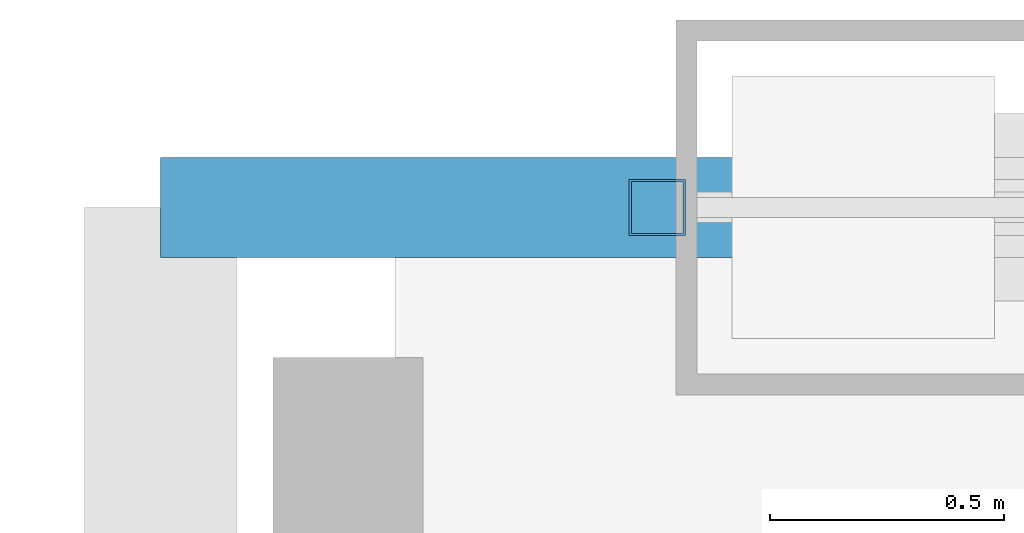
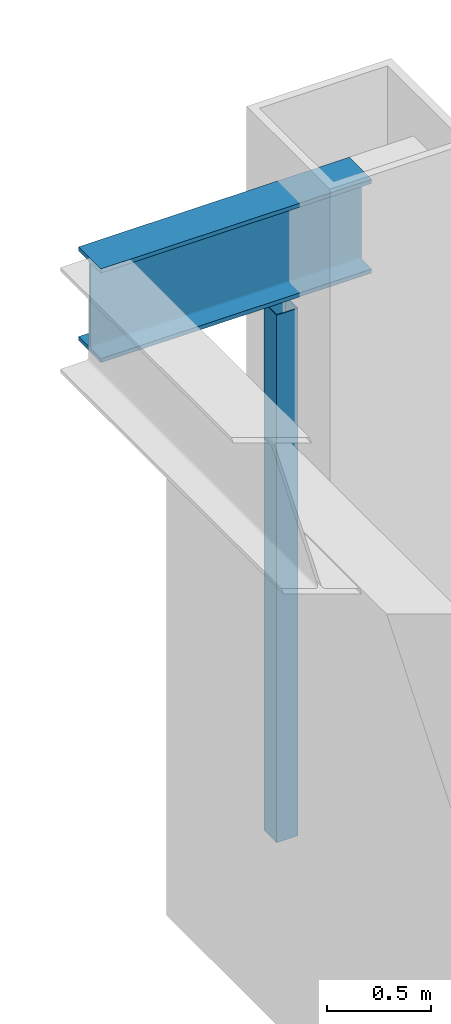
# One storey, part 20 of 29: 1 beam, 1 member, 1 element without a shape of its own.
"""IFC4 building model written with IfcOpenShell, lengths in metres."""

import ifcopenshell
import ifcopenshell.guid

model = None  # the IFC model being written
_history = None  # IfcOwnerHistory: only IFC2X3 demands one
_inside = {}  # id of a spatial element -> (the spatial element, [elements in it])
_under = {}  # id of a project, library or spatial element -> (it, [spatial elements below it])
_declared = {}  # id of a project -> (the project, [libraries it declares])
_typed = {}  # id of a type object -> (the type object, [elements of that type])
_made_of = {}  # id of a material, layer set ... -> (it, [elements and type objects made of it])


def new_model(schema):
    """Start an empty IFC model of exactly this schema.

    Asked for "IFC4X3", IfcOpenShell would pick the latest addendum, in which some entities
    have other attributes; the version numbers below select the first issue.
    IFC2X3 requires an IfcOwnerHistory on every rooted entity: one is made here for all.
    """
    global model, _history
    if schema == "IFC4X3":
        model = ifcopenshell.file(schema_version=(4, 3, 0, 0))
    else:
        model = ifcopenshell.file(schema=schema)
    _inside.clear()
    _under.clear()
    _declared.clear()
    _typed.clear()
    _made_of.clear()
    _history = None
    if model.schema == "IFC2X3":
        org = make("IfcOrganization", Name="unknown")
        user = make(
            "IfcPersonAndOrganization",
            ThePerson=make("IfcPerson", FamilyName="unknown"),
            TheOrganization=org,
        )
        app = make(
            "IfcApplication",
            ApplicationDeveloper=org,
            Version="unknown",
            ApplicationFullName="unknown",
            ApplicationIdentifier="unknown",
        )
        _history = make(
            "IfcOwnerHistory",
            OwningUser=user,
            OwningApplication=app,
            ChangeAction="ADDED",
            CreationDate=0,
        )
    return model


def make(cls, **values):
    """One entity of the class cls with the attributes given. An attribute that is None is left unset."""
    return model.create_entity(
        cls, **{name: value for name, value in values.items() if value is not None}
    )


def rooted(cls, **values):
    """An entity with a GlobalId (a new one), such as an element, a storey or a relation."""
    return make(cls, GlobalId=ifcopenshell.guid.new(), OwnerHistory=_history, **values)


def si_unit(unit_type, name, prefix=None):
    """IfcSIUnit, for example si_unit("LENGTHUNIT", "METRE", prefix="MILLI")."""
    return make("IfcSIUnit", UnitType=unit_type, Prefix=prefix, Name=name)


def assignment(units):
    """IfcUnitAssignment: the units of a project."""
    return None if units is None else make("IfcUnitAssignment", Units=units)


def point(xyz):
    """IfcCartesianPoint."""
    return None if xyz is None else make("IfcCartesianPoint", Coordinates=xyz)


def direction(xyz):
    """IfcDirection."""
    return None if xyz is None else make("IfcDirection", DirectionRatios=xyz)


def frame(location, z_axis=None, x_axis=None):
    """IfcAxis2Placement3D, a coordinate frame: its origin and axes. An axis left out is left unset."""
    return make(
        "IfcAxis2Placement3D",
        Location=point(location),
        Axis=direction(z_axis),
        RefDirection=direction(x_axis),
    )


def frame_2d(location, x_axis=None):
    """IfcAxis2Placement2D, a coordinate frame in the plane: its origin and x axis."""
    return make(
        "IfcAxis2Placement2D", Location=point(location), RefDirection=direction(x_axis)
    )


def origin():
    """The frame at (0, 0, 0) with its axes left unset."""
    return frame((0.0, 0.0, 0.0))


def origin_2d():
    """The frame at (0, 0) in the plane with its x axis left unset."""
    return frame_2d((0.0, 0.0))


def place(relative_to, where):
    """IfcLocalPlacement: puts the frame where relative to a parent placement (None: the world)."""
    return make(
        "IfcLocalPlacement", PlacementRelTo=relative_to, RelativePlacement=where
    )


def context(
    kind, dimensions, precision=None, world=None, true_north=None, identifier=None
):
    """IfcGeometricRepresentationContext, for example the 3D "Model" context."""
    return make(
        "IfcGeometricRepresentationContext",
        ContextIdentifier=identifier,
        ContextType=kind,
        CoordinateSpaceDimension=dimensions,
        Precision=precision,
        WorldCoordinateSystem=world,
        TrueNorth=true_north,
    )


def subcontext(parent, identifier, kind, view, scale=None):
    """IfcGeometricRepresentationSubContext, for example "Body" below "Model"."""
    return make(
        "IfcGeometricRepresentationSubContext",
        ContextIdentifier=identifier,
        ContextType=kind,
        ParentContext=parent,
        TargetScale=scale,
        TargetView=view,
    )


def project(units=None, contexts=None):
    """IfcProject with its units and contexts."""
    return rooted(
        "IfcProject",
        Name="project",
        RepresentationContexts=contexts,
        UnitsInContext=assignment(units),
    )


def spatial(cls, under=None, at=None, **own):
    """A site, building, storey or space (cls), placed at a placement, below another one or the project."""
    s = rooted(cls, ObjectPlacement=at, **own)
    if under is not None:
        _under.setdefault(under.id(), (under, []))[1].append(s)
    return s


def profile(cls, at=None, kind="AREA", **sizes):
    """A parametric profile (cls). Its sizes go by their IFC names, for example OverallWidth=200.0."""
    return make(cls, ProfileType=kind, Position=at, **sizes)


def hollow_rectangle(**sizes):
    """IfcRectangleHollowProfileDef."""
    return profile("IfcRectangleHollowProfileDef", **sizes)


def i_section(**sizes):
    """IfcIShapeProfileDef."""
    return profile("IfcIShapeProfileDef", **sizes)


def extrude(swept, where, along, depth):
    """IfcExtrudedAreaSolid: the profile swept, set in the frame where, extruded along a direction by depth."""
    return make(
        "IfcExtrudedAreaSolid",
        SweptArea=swept,
        Position=where,
        ExtrudedDirection=direction(along),
        Depth=depth,
    )


def shape(context_of_items, identifier, shape_type, items):
    """IfcShapeRepresentation: the items that make up one representation, for example the "Body"."""
    return make(
        "IfcShapeRepresentation",
        ContextOfItems=context_of_items,
        RepresentationIdentifier=identifier,
        RepresentationType=shape_type,
        Items=items,
    )


def source(mapping_origin, context_of_items, identifier, shape_type, items):
    """IfcRepresentationMap: a shape defined once, which mapped items show again and again."""
    return make(
        "IfcRepresentationMap",
        MappingOrigin=mapping_origin,
        MappedRepresentation=shape(context_of_items, identifier, shape_type, items),
    )


def transform(
    local_origin,
    x_axis=None,
    y_axis=None,
    z_axis=None,
    scale=None,
    scale2=None,
    scale3=None,
    uniform=True,
):
    """IfcCartesianTransformationOperator3D, or its non-uniform kind. x_axis, y_axis, z_axis: its Axis1, 2, 3."""
    if uniform:
        return make(
            "IfcCartesianTransformationOperator3D",
            Axis1=direction(x_axis),
            Axis2=direction(y_axis),
            LocalOrigin=point(local_origin),
            Scale=scale,
            Axis3=direction(z_axis),
        )
    return make(
        "IfcCartesianTransformationOperator3DnonUniform",
        Axis1=direction(x_axis),
        Axis2=direction(y_axis),
        LocalOrigin=point(local_origin),
        Scale=scale,
        Axis3=direction(z_axis),
        Scale2=scale2,
        Scale3=scale3,
    )


def mapped(mapping_source, mapping_target):
    """IfcMappedItem: shows the shape of a source again, moved by a transform."""
    return make(
        "IfcMappedItem", MappingSource=mapping_source, MappingTarget=mapping_target
    )


def material(Name=None, Category=None):
    """IfcMaterial."""
    return make("IfcMaterial", Name=Name, Category=Category)


def material_profile(
    of_material, cross_section, Name=None, Category=None, Priority=None
):
    """IfcMaterialProfile: a cross section and its material."""
    return make(
        "IfcMaterialProfile",
        Name=Name,
        Material=of_material,
        Profile=cross_section,
        Priority=Priority,
        Category=Category,
    )


def profile_set(profiles, Name=None, composite=None):
    """IfcMaterialProfileSet."""
    return make(
        "IfcMaterialProfileSet",
        Name=Name,
        MaterialProfiles=profiles,
        CompositeProfile=composite,
    )


def made_of(thing, what):
    """Note that an element or type object is made of a material, layer set ...; save() writes the relation."""
    if what is not None:
        _made_of.setdefault(what.id(), (what, []))[1].append(thing)
    return thing


def type_object(cls, material=None, **own):
    """A type object (cls), such as IfcWallType, which elements share."""
    return made_of(rooted(cls, **own), material)


def element(
    cls,
    number,
    at=None,
    inside=None,
    cuts=None,
    type_object=None,
    material=None,
    context=None,
    identifier="Body",
    shape_type=None,
    held_by="IfcProductDefinitionShape",
    body=None,
    shapes=None,
    **own,
):
    """One element of the class cls, such as IfcWall. Its Tag is "e" and its number.

    at: its placement. inside: the storey or other place that contains it. cuts: it is an
    opening in that element (IfcRelVoidsElement). A single representation is given by context,
    identifier, shape_type and body (its items); several are given by shapes. held_by: the class
    of the entity that holds the representations. save() writes the other relations.
    """
    e = rooted(cls, Tag="e%d" % number, ObjectPlacement=at, **own)
    if body is not None:
        shapes = [shape(context, identifier, shape_type, body)]
    if shapes is not None:
        e.Representation = make(held_by, Representations=shapes)
    if inside is not None:
        _inside.setdefault(inside.id(), (inside, []))[1].append(e)
    if cuts is not None:
        rooted(
            "IfcRelVoidsElement", RelatingBuildingElement=cuts, RelatedOpeningElement=e
        )
    if type_object is not None:
        _typed.setdefault(type_object.id(), (type_object, []))[1].append(e)
    return made_of(e, material)


def aggregate(whole, parts):
    """IfcRelAggregates: a whole, such as a stair, and the parts it consists of."""
    return rooted("IfcRelAggregates", RelatingObject=whole, RelatedObjects=parts)


def save(model, path):
    """Write the relations noted so far, then the file.

    IfcRelAggregates (storeys below a building ...), IfcRelContainedInSpatialStructure (elements
    in a storey), IfcRelDefinesByType, IfcRelAssociatesMaterial and IfcRelDeclares: one each for
    every whole, place, type object, material and project.
    """
    for whole, parts in _under.values():
        aggregate(whole, parts)
    for where, things in _inside.values():
        rooted(
            "IfcRelContainedInSpatialStructure",
            RelatedElements=things,
            RelatingStructure=where,
        )
    for kind, things in _typed.values():
        rooted("IfcRelDefinesByType", RelatedObjects=things, RelatingType=kind)
    for what, things in _made_of.values():
        rooted("IfcRelAssociatesMaterial", RelatedObjects=things, RelatingMaterial=what)
    for by, libraries in _declared.values():
        rooted("IfcRelDeclares", RelatingContext=by, RelatedDefinitions=libraries)
    model.write(path)


model = new_model("IFC4")

# Units and contexts
model_context = context("Model", 3, precision=1e-05, world=origin(), true_north=direction((0.0, 1.0)))
body_context = subcontext(model_context, "Body", "Model", "MODEL_VIEW")
ifc_project = project(units=[si_unit("LENGTHUNIT", "METRE"), si_unit("AREAUNIT", "SQUARE_METRE"), si_unit("VOLUMEUNIT", "CUBIC_METRE"), si_unit("PLANEANGLEUNIT", "RADIAN"), si_unit("MASSUNIT", "GRAM", prefix="KILO")], contexts=[model_context])

# Site, building, storey
site_placement = place(None, origin())
site = spatial("IfcSite", under=ifc_project, at=site_placement, CompositionType="ELEMENT")
building_placement = place(site_placement, origin())
building = spatial("IfcBuilding", under=site, at=building_placement, Name="Khorayat Bourse Tower", CompositionType="ELEMENT")
storey_placement = place(building_placement, frame((0.0, 0.0, 350.300048828125)))
storey = spatial("IfcBuildingStorey", under=building, at=storey_placement, Name="L83", CompositionType="ELEMENT", Elevation=350.300048828125)

# Beam
ifc_material_1 = material(Name="Steel ASTM A992 Grade 50", Category="steel")
ifc_material_profile_1 = material_profile(ifc_material_1, i_section(OverallWidth=0.214111328125, OverallDepth=0.549072265625, WebThickness=0.0146484375, FlangeThickness=0.023681640625, FilletRadius=0.013916015625, at=origin_2d()), Name="W530X138")
ifc_profile_set_1 = profile_set([ifc_material_profile_1], Name="Steel ASTM A992 Grade 50")
beam_type = type_object("IfcBeamType", Name="BM-SPAN-530", PredefinedType="SPANDREL", material=ifc_profile_set_1)
shared_shape_1 = source(origin(), body_context, "Body", "SweptSolid", [
    extrude(i_section(OverallWidth=0.214111328125, OverallDepth=0.549072265625, WebThickness=0.0146484375, FlangeThickness=0.023681640625, FilletRadius=0.013916015625, at=origin_2d()), origin(), (0.0, 0.0, 1.0), 1.5),
])
beam_placement = place(storey_placement, frame((4.5, 26.0, 3.46533203125), z_axis=(1.0, 0.0, 0.0), x_axis=(0.0, 1.0, 0.0)))
element("IfcBeam", 1, at=beam_placement, inside=storey, type_object=beam_type, Name="L83 BM-SPAN-530 BM-L83-SPN-039", PredefinedType="SPANDREL", context=body_context, shape_type="MappedRepresentation", body=[
    mapped(shared_shape_1, transform((0.0, 0.0, 0.0), scale=1.0)),
])

# Curtain wall, member
ifc_material_2 = material(Name="Aluminium EN AW-6063 T6", Category="aluminium")
curtain_wall_type = type_object("IfcCurtainWallType", Name="CW-SYS-06", PredefinedType="NOTDEFINED", material=ifc_material_2)
curtain_wall_placement = place(storey_placement, origin())
curtain_wall = element("IfcCurtainWall", 2, at=curtain_wall_placement, inside=storey, type_object=curtain_wall_type, Name="L83 Curtain Wall CW-L83-N2", PredefinedType="NOTDEFINED")
ifc_material_profile_2 = material_profile(ifc_material_2, hollow_rectangle(XDim=0.1201171875, YDim=0.1201171875, WallThickness=0.0048828125, at=origin_2d()), Name="ALU 120x120x5")
ifc_profile_set_2 = profile_set([ifc_material_profile_2], Name="Aluminium EN AW-6063 T6")
member_type = type_object("IfcMemberType", Name="CWM-VERT-120", PredefinedType="MULLION", material=ifc_profile_set_2)
shared_shape_2 = source(origin(), body_context, "Body", "SweptSolid", [
    extrude(hollow_rectangle(XDim=0.1201171875, YDim=0.1201171875, WallThickness=0.0048828125, at=origin_2d()), origin(), (0.0, 0.0, 1.0), 3.08984375),
])
member_placement = place(storey_placement, frame((5.56005859375, 26.0, 0.0), z_axis=(0.0, 0.0, 1.0), x_axis=(0.0, -1.0, 0.0)))
member = element("IfcMember", 3, at=member_placement, type_object=member_type, Name="CW-L83-N2 Vertical Mullion 3", PredefinedType="MULLION", context=body_context, shape_type="MappedRepresentation", body=[
    mapped(shared_shape_2, transform((0.0, 0.0, 0.0), scale=1.0)),
])
aggregate(curtain_wall, [member])

save(model, "model.ifc")
